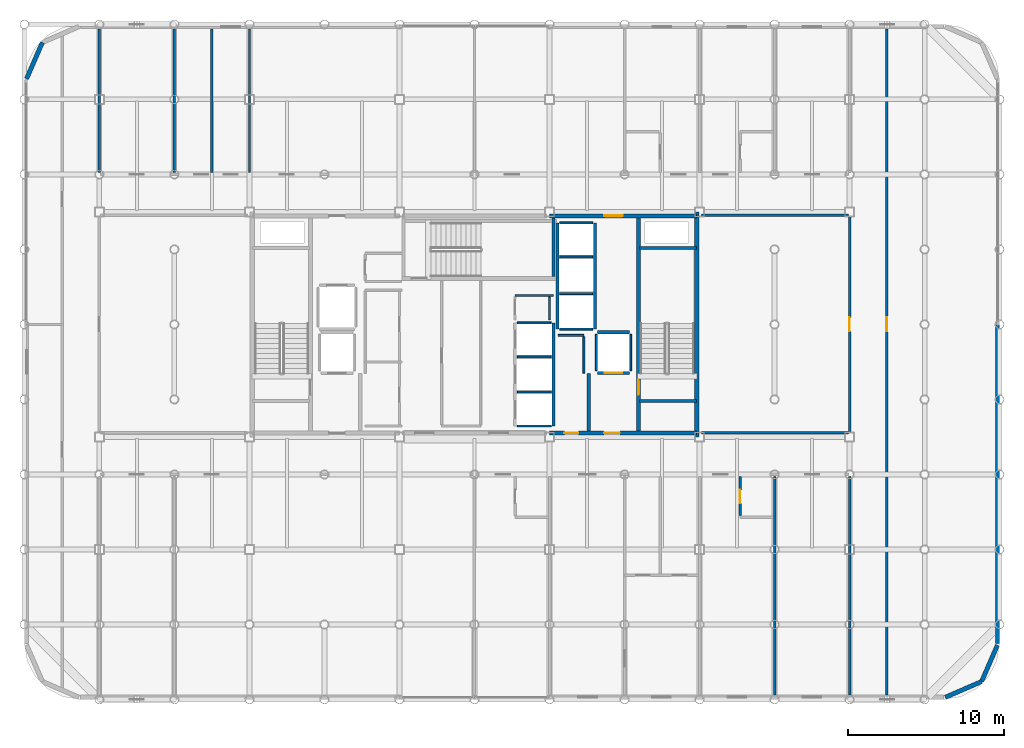
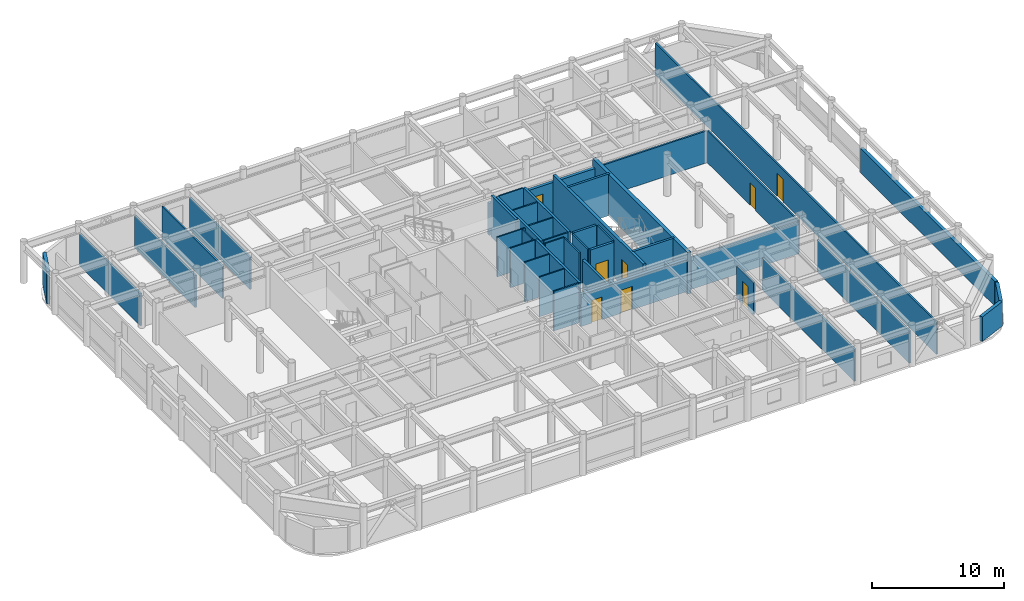
# One storey, part 19 of 22: 42 walls, 8 doors, 8 openings.
"""IFC4 building model written with IfcOpenShell, lengths in metres."""

from ifc_helpers import new_model, si_unit, direction, frame, frame_2d, origin, place, context, subcontext, project, spatial, rectangle, extrude, material, layer, layer_set, type_object, element, fill, save


model = new_model("IFC4")

# Units and contexts
model_context = context("Model", 3, precision=1e-05, world=origin(), true_north=direction((0.0, 1.0)))
body_context = subcontext(model_context, "Body", "Model", "MODEL_VIEW")
ifc_project = project(units=[si_unit("LENGTHUNIT", "METRE"), si_unit("AREAUNIT", "SQUARE_METRE"), si_unit("VOLUMEUNIT", "CUBIC_METRE"), si_unit("PLANEANGLEUNIT", "RADIAN"), si_unit("MASSUNIT", "GRAM", prefix="KILO")], contexts=[model_context])

# Site, building, storey
site_placement = place(None, origin())
site = spatial("IfcSite", under=ifc_project, at=site_placement, CompositionType="ELEMENT")
building_placement = place(site_placement, origin())
building = spatial("IfcBuilding", under=site, at=building_placement, Name="Kallvorn Hotel Tower", CompositionType="ELEMENT")
storey_placement = place(building_placement, frame((0.0, 0.0, 206.89990234375)))
storey = spatial("IfcBuildingStorey", under=building, at=storey_placement, Name="L51", CompositionType="ELEMENT", Elevation=206.89990234375)

# Wall
ifc_material_1 = material(Name="Concrete C50/60", Category="concrete")
ifc_layer_1 = layer(ifc_material_1, 0.300048828125)
ifc_layer_set_1 = layer_set([ifc_layer_1], Name="WL_CORE_300")
wall_type_1 = type_object("IfcWallType", Name="WL_CORE_300", PredefinedType="SHEAR", material=ifc_layer_set_1)
wall_1_placement = place(storey_placement, frame((14.215087890625, -7.199951171875, -0.179931640625), z_axis=(0.0, 0.0, 1.0), x_axis=(0.0, 1.0, 0.0)))
element("IfcWall", 1, at=wall_1_placement, inside=storey, type_object=wall_type_1, Name="L51 Core East Shear Wall", PredefinedType="SHEAR", context=body_context, shape_type="SweptSolid", body=[
    extrude(rectangle(XDim=14.39990234375, YDim=0.300048828125, at=frame_2d((7.199951171875, 0.0))), origin(), (0.0, 0.0, 1.0), 3.85009765625),
])

# Wall, opening, door
ifc_material_2 = material(Name="Fire-rated double-layer acoustic gypsum drywall EI 60")
ifc_layer_2 = layer(ifc_material_2, 0.159912109375)
ifc_layer_set_2 = layer_set([ifc_layer_2], Name="WL_DEMISE_160")
wall_type_2 = type_object("IfcWallType", Name="WL_DEMISE_160", PredefinedType="PARTITIONING", material=ifc_layer_set_2)
wall_2_placement = place(storey_placement, frame((16.989990234375, -12.235107421875, 0.0), z_axis=(0.0, 0.0, 1.0), x_axis=(0.0, 1.0, 0.0)))
wall_2 = element("IfcWall", 2, at=wall_2_placement, inside=storey, type_object=wall_type_2, Name="L51 Suite 5103 Superior Twin Room Partition", PredefinedType="PARTITIONING", context=body_context, shape_type="SweptSolid", body=[
    extrude(rectangle(XDim=2.51513671875, YDim=0.159912109375, at=frame_2d((1.257568359375, 0.0))), origin(), (0.0, 0.0, 1.0), 2.97021484375),
])
opening_1_placement = place(wall_2_placement, frame((0.784912109375, 0.0, 0.0)))
opening_1 = element("IfcOpeningElement", 3, at=opening_1_placement, cuts=wall_2, Name="Opening BD-I", PredefinedType="OPENING", context=body_context, shape_type="SweptSolid", body=[
    extrude(rectangle(XDim=0.860107421875, YDim=2.10009765625, at=frame_2d((0.43017578125, 1.050048828125))), frame((0.0, 0.094970703125, 0.0), z_axis=(0.0, -1.0, 0.0), x_axis=(1.0, 0.0, 0.0)), (0.0, 0.0, 1.0), 0.18994140625),
])
ifc_material_3 = material(Name="Solid-core walnut veneer fire-rated timber door leaf", Category="wood")
door_type_1 = type_object("IfcDoorType", Name="DR_BATH_860x2100", OperationType="NOTDEFINED", PredefinedType="DOOR", material=ifc_material_3)
door_1_placement = place(opening_1_placement, origin())
door_1 = element("IfcDoor", 4, at=door_1_placement, inside=storey, type_object=door_type_1, Name="L51 Suite 5103 En-Suite Bathroom Door", OperationType="SINGLE_SWING_LEFT", OverallHeight=2.10009765625, OverallWidth=0.860107421875, PredefinedType="DOOR", context=body_context, shape_type="SweptSolid", body=[
    extrude(rectangle(XDim=0.860107421875, YDim=2.10009765625, at=frame_2d((0.43017578125, 1.050048828125))), frame((0.0, 0.02490234375, 0.0), z_axis=(0.0, -1.0, 0.0), x_axis=(1.0, 0.0, 0.0)), (0.0, 0.0, 1.0), 0.050048828125),
])
fill(opening_1, door_1)

# Walls
wall_3_placement = place(storey_placement, frame((19.199951171875, -23.7099609375, 0.0), z_axis=(0.0, 0.0, 1.0), x_axis=(0.0, 1.0, 0.0)))
element("IfcWall", 5, at=wall_3_placement, inside=storey, type_object=wall_type_2, Name="L51 Suite 5103 Superior Twin Room Partition", PredefinedType="PARTITIONING", context=body_context, shape_type="SweptSolid", body=[
    extrude(rectangle(XDim=13.989990234375, YDim=0.159912109375, at=frame_2d((6.9951171875, 0.0))), origin(), (0.0, 0.0, 1.0), 2.97021484375),
])
ifc_material_4 = material(Name="Precast basalt-clad insulated concrete wall C40/50", Category="masonry")
ifc_layer_3 = layer(ifc_material_4, 0.280029296875)
ifc_layer_set_3 = layer_set([ifc_layer_3], Name="WL_EXT_LOGGIA_280")
wall_type_3 = type_object("IfcWallType", Name="WL_EXT_LOGGIA_280", PredefinedType="SOLIDWALL", material=ifc_layer_set_3)
wall_4_placement = place(storey_placement, frame((30.120849609375, -23.85791015625, 0.0), z_axis=(0.0, 0.0, 1.0), x_axis=(0.917060872934, 0.398747232384, 0.0)))
element("IfcWall", 6, at=wall_4_placement, inside=storey, type_object=wall_type_3, Name="L51 Rounded Corner Exterior Wall SE1", PredefinedType="SOLIDWALL", context=body_context, shape_type="SweptSolid", body=[
    extrude(rectangle(XDim=2.5361328125, YDim=0.280029296875, at=frame_2d((1.26806640625, 0.0))), origin(), (0.0, 0.0, 1.0), 2.27001953125),
])
wall_5_placement = place(storey_placement, frame((32.446533203125, -22.8466796875, 0.0), z_axis=(0.0, 0.0, 1.0), x_axis=(0.398792985289, 0.917040977756, 0.0)))
element("IfcWall", 7, at=wall_5_placement, inside=storey, type_object=wall_type_3, Name="L51 Rounded Corner Exterior Wall SE2", PredefinedType="SOLIDWALL", context=body_context, shape_type="SweptSolid", body=[
    extrude(rectangle(XDim=2.536376953125, YDim=0.280029296875, at=frame_2d((1.26806640625, 0.0))), origin(), (0.0, 0.0, 1.0), 2.27001953125),
])
wall_6_placement = place(storey_placement, frame((-27.646484375, 18.046630859375, 0.0), z_axis=(0.0, 0.0, 1.0), x_axis=(-0.398792985289, -0.917040977756, 0.0)))
element("IfcWall", 8, at=wall_6_placement, inside=storey, type_object=wall_type_3, Name="L51 Rounded Corner Exterior Wall NW2", PredefinedType="SOLIDWALL", context=body_context, shape_type="SweptSolid", body=[
    extrude(rectangle(XDim=2.536376953125, YDim=0.280029296875, at=frame_2d((1.26806640625, 0.0))), origin(), (0.0, 0.0, 1.0), 3.02001953125),
])
wall_7_placement = place(storey_placement, frame((33.4599609375, -20.39990234375, 0.0), z_axis=(0.0, 0.0, 1.0), x_axis=(0.0, 1.0, 0.0)))
element("IfcWall", 9, at=wall_7_placement, inside=storey, type_object=wall_type_3, Name="L51 Exterior Envelope Wall EW-L51-ES", PredefinedType="SOLIDWALL", context=body_context, shape_type="SweptSolid", body=[
    extrude(rectangle(XDim=20.3798828125, YDim=0.280029296875, at=frame_2d((10.18994140625, 0.0))), origin(), (0.0, 0.0, 1.0), 2.27001953125),
])
ifc_material_5 = material(Name="Concrete C40/50", Category="concrete")
ifc_layer_4 = layer(ifc_material_5, 0.219970703125)
ifc_layer_set_4 = layer_set([ifc_layer_4], Name="WL_FFL_220")
wall_type_4 = type_object("IfcWallType", Name="WL_FFL_220", PredefinedType="SOLIDWALL", material=ifc_layer_set_4)
wall_8_placement = place(storey_placement, frame((7.300048828125, -6.820068359375, 0.0), z_axis=(0.0, 0.0, 1.0), x_axis=(0.0, 1.0, 0.0)))
element("IfcWall", 10, at=wall_8_placement, inside=storey, type_object=wall_type_4, Name="L51 Firefighting Lobby East Divider Wall", PredefinedType="SOLIDWALL", context=body_context, shape_type="SweptSolid", body=[
    extrude(rectangle(XDim=3.670166015625, YDim=0.219970703125, at=frame_2d((1.8349609375, 0.0))), origin(), (0.0, 0.0, 1.0), 2.97021484375),
])
ifc_material_6 = material(Name="Concrete C40/50", Category="concrete")
ifc_layer_5 = layer(ifc_material_6, 0.199951171875)
ifc_layer_set_5 = layer_set([ifc_layer_5], Name="WL_HOIST_200")
wall_type_5 = type_object("IfcWallType", Name="WL_HOIST_200", PredefinedType="SOLIDWALL", material=ifc_layer_set_5)
for number, where, z_axis, x_axis, name in (
    (11, (10.550048828125, -4.89990234375, -0.179931640625), (0.0, 0.0, 1.0), (1.0, 0.0, 0.0), "L51 Stair ST2 South Wall"),
    (12, (10.550048828125, 4.89990234375, -0.179931640625), (0.0, 0.0, 1.0), (1.0, 0.0, 0.0), "L51 Stair ST2 North Wall"),
):
    element("IfcWall", number, at=place(storey_placement, frame(where, z_axis=z_axis, x_axis=x_axis)), inside=storey, type_object=wall_type_5, Name=name, PredefinedType="SOLIDWALL", context=body_context, shape_type="SweptSolid", body=[
        extrude(rectangle(XDim=3.64990234375, YDim=0.199951171875, at=frame_2d((1.824951171875, 0.0))), origin(), (0.0, 0.0, 1.0), 3.85009765625),
    ])
wall_9_placement = place(storey_placement, frame((5.06005859375, 3.080078125, -0.179931640625), z_axis=(0.0, 0.0, 1.0), x_axis=(0.0, 1.0, 0.0)))
element("IfcWall", 13, at=wall_9_placement, inside=storey, type_object=wall_type_5, Name="L51 Stair ST3 East Wall", PredefinedType="SOLIDWALL", context=body_context, shape_type="SweptSolid", body=[
    extrude(rectangle(XDim=3.739990234375, YDim=0.199951171875, at=frame_2d((1.8701171875, 0.0))), origin(), (0.0, 0.0, 1.0), 3.85009765625),
])
wall_10_placement = place(storey_placement, frame((5.050048828125, -6.5, 0.0), z_axis=(0.0, 0.0, 1.0), x_axis=(0.0, 1.0, 0.0)))
element("IfcWall", 14, at=wall_10_placement, inside=storey, type_object=wall_type_5, Name="L51 Lift Bank B3A Rear Shaft Wall", PredefinedType="SOLIDWALL", context=body_context, shape_type="SweptSolid", body=[
    extrude(rectangle(XDim=6.60009765625, YDim=0.199951171875, at=frame_2d((3.300048828125, 0.0))), origin(), (0.0, 0.0, 1.0), 3.670166015625),
])
for number, where, z_axis, x_axis, name in (
    (15, (7.699951171875, -0.300048828125, 0.0), (0.0, 0.0, 1.0), (0.0, 1.0, 0.0), "L51 Lift Bank OBS Landing Wall"),
    (16, (5.300048828125, -0.300048828125, 0.0), (0.0, 0.0, 1.0), (0.0, 1.0, 0.0), "L51 Lift Bank OBS Rear Shaft Wall"),
):
    element("IfcWall", number, at=place(storey_placement, frame(where, z_axis=z_axis, x_axis=x_axis)), inside=storey, type_object=wall_type_5, Name=name, PredefinedType="SOLIDWALL", context=body_context, shape_type="SweptSolid", body=[
        extrude(rectangle(XDim=6.800048828125, YDim=0.199951171875, at=frame_2d((3.39990234375, 0.0))), origin(), (0.0, 0.0, 1.0), 3.670166015625),
    ])

# Wall, opening, door
wall_11_placement = place(storey_placement, frame((7.8798828125, -3.10009765625, 0.0), z_axis=(0.0, 0.0, 1.0), x_axis=(1.0, 0.0, 0.0)))
wall_11 = element("IfcWall", 17, at=wall_11_placement, inside=storey, type_object=wall_type_5, Name="L51 FL-2 Landing Wall", PredefinedType="SOLIDWALL", context=body_context, shape_type="SweptSolid", body=[
    extrude(rectangle(XDim=2.0400390625, YDim=0.199951171875, at=frame_2d((1.02001953125, 0.0))), origin(), (0.0, 0.0, 1.0), 3.670166015625),
])
opening_2_placement = place(wall_11_placement, frame((0.469970703125, 0.0, 0.0)))
opening_2 = element("IfcOpeningElement", 18, at=opening_2_placement, cuts=wall_11, Name="Opening LD-FL-2", PredefinedType="OPENING", context=body_context, shape_type="SweptSolid", body=[
    extrude(rectangle(XDim=1.10009765625, YDim=2.199951171875, at=frame_2d((0.550048828125, 1.10009765625))), frame((0.0, 0.114990234375, 0.0), z_axis=(0.0, -1.0, 0.0), x_axis=(1.0, 0.0, 0.0)), (0.0, 0.0, 1.0), 0.22998046875),
])
ifc_material_7 = material(Name="Brushed stainless-steel automatic sliding lift landing door", Category="steel")
door_type_2 = type_object("IfcDoorType", Name="LD_PASS_1100x2200", OperationType="SLIDING_TO_LEFT", PredefinedType="DOOR", material=ifc_material_7)
door_2_placement = place(opening_2_placement, origin())
door_2 = element("IfcDoor", 19, at=door_2_placement, inside=storey, type_object=door_type_2, Name="L51 Lift Landing Sliding Door LD-FL-2", OperationType="SLIDING_TO_LEFT", OverallHeight=2.199951171875, OverallWidth=1.10009765625, PredefinedType="DOOR", context=body_context, shape_type="SweptSolid", body=[
    extrude(rectangle(XDim=1.10009765625, YDim=2.199951171875, at=frame_2d((0.550048828125, 1.10009765625))), frame((0.0, 0.02490234375, 0.0), z_axis=(0.0, -1.0, 0.0), x_axis=(1.0, 0.0, 0.0)), (0.0, 0.0, 1.0), 0.050048828125),
])
fill(opening_2, door_2)

# Walls
wall_12_placement = place(storey_placement, frame((7.8798828125, -0.5, 0.0), z_axis=(0.0, 0.0, 1.0), x_axis=(1.0, 0.0, 0.0)))
element("IfcWall", 20, at=wall_12_placement, inside=storey, type_object=wall_type_5, Name="L51 FL-2 Rear Shaft Wall", PredefinedType="SOLIDWALL", context=body_context, shape_type="SweptSolid", body=[
    extrude(rectangle(XDim=2.0400390625, YDim=0.199951171875, at=frame_2d((1.02001953125, 0.0))), origin(), (0.0, 0.0, 1.0), 3.670166015625),
])
ifc_material_8 = material(Name="Fire-rated double-layer acoustic gypsum drywall EI 60")
ifc_layer_6 = layer(ifc_material_8, 0.1201171875)
ifc_layer_set_6 = layer_set([ifc_layer_6], Name="WL_INT_120")
wall_type_6 = type_object("IfcWallType", Name="WL_INT_120", PredefinedType="PARTITIONING", material=ifc_layer_set_6)
for number, where, z_axis, x_axis, name in (
    (21, (2.739990234375, -6.5, 0.0), (0.0, 0.0, 1.0), (1.0, 0.0, 0.0), "L51 Lift Bank B3A South Closure Wall"),
    (22, (2.739990234375, -4.324951171875, 0.0), (0.0, 0.0, 1.0), (1.0, 0.0, 0.0), "L51 PL-09 Hoistway Divider"),
    (23, (2.739990234375, -2.074951171875, 0.0), (0.0, 0.0, 1.0), (1.0, 0.0, 0.0), "L51 PL-10 Hoistway Divider"),
    (24, (2.739990234375, 0.10009765625, 0.0), (0.0, 0.0, 1.0), (1.0, 0.0, 0.0), "L51 PL-11 Hoistway Divider"),
):
    element("IfcWall", number, at=place(storey_placement, frame(where, z_axis=z_axis, x_axis=x_axis)), inside=storey, type_object=wall_type_6, Name=name, PredefinedType="PARTITIONING", context=body_context, shape_type="SweptSolid", body=[
        extrude(rectangle(XDim=2.169921875, YDim=0.1201171875, at=frame_2d((1.0849609375, 0.0))), origin(), (0.0, 0.0, 1.0), 3.670166015625),
    ])
for number, where, z_axis, x_axis, name in (
    (25, (5.43994140625, -0.300048828125, 0.0), (0.0, 0.0, 1.0), (1.0, 0.0, 0.0), "L51 Lift Bank OBS South Closure Wall"),
    (26, (5.43994140625, 1.97509765625, 0.0), (0.0, 0.0, 1.0), (1.0, 0.0, 0.0), "L51 OB-01 Hoistway Divider"),
    (27, (5.43994140625, 4.324951171875, 0.0), (0.0, 0.0, 1.0), (1.0, 0.0, 0.0), "L51 OB-02 Hoistway Divider"),
    (28, (5.43994140625, 6.5, 0.0), (0.0, 0.0, 1.0), (1.0, 0.0, 0.0), "L51 OB-03 Hoistway Divider"),
):
    element("IfcWall", number, at=place(storey_placement, frame(where, z_axis=z_axis, x_axis=x_axis)), inside=storey, type_object=wall_type_6, Name=name, PredefinedType="PARTITIONING", context=body_context, shape_type="SweptSolid", body=[
        extrude(rectangle(XDim=2.1201171875, YDim=0.1201171875, at=frame_2d((1.06005859375, 0.0))), origin(), (0.0, 0.0, 1.0), 3.670166015625),
    ])
for number, where, z_axis, x_axis, name in (
    (29, (7.800048828125, -2.9599609375, 0.0), (0.0, 0.0, 1.0), (0.0, 1.0, 0.0), "L51 FL-2 West Shaft Wall"),
    (30, (10.0, -2.9599609375, 0.0), (0.0, 0.0, 1.0), (0.0, 1.0, 0.0), "L51 FL-2 East Shaft Wall"),
):
    element("IfcWall", number, at=place(storey_placement, frame(where, z_axis=z_axis, x_axis=x_axis)), inside=storey, type_object=wall_type_6, Name=name, PredefinedType="PARTITIONING", context=body_context, shape_type="SweptSolid", body=[
        extrude(rectangle(XDim=2.320068359375, YDim=0.1201171875, at=frame_2d((1.16015625, 0.0))), origin(), (0.0, 0.0, 1.0), 3.670166015625),
    ])
wall_13_placement = place(storey_placement, frame((5.35009765625, -0.699951171875, 0.0), z_axis=(0.0, 0.0, 1.0), x_axis=(1.0, 0.0, 0.0)))
element("IfcWall", 31, at=wall_13_placement, inside=storey, type_object=wall_type_6, Name="L51 Core Utility and Meter Room Partition", PredefinedType="PARTITIONING", context=body_context, shape_type="SweptSolid", body=[
    extrude(rectangle(XDim=1.64990234375, YDim=0.1201171875, at=frame_2d((0.824951171875, 0.0))), origin(), (0.0, 0.0, 1.0), 3.670166015625),
])
wall_14_placement = place(storey_placement, frame((2.60009765625, 1.85009765625, 0.0), z_axis=(0.0, 0.0, 1.0), x_axis=(1.0, 0.0, 0.0)))
element("IfcWall", 32, at=wall_14_placement, inside=storey, type_object=wall_type_6, Name="L51 East Core Ice Pantry Partition", PredefinedType="PARTITIONING", context=body_context, shape_type="SweptSolid", body=[
    extrude(rectangle(XDim=2.449951171875, YDim=0.1201171875, at=frame_2d((1.22509765625, 0.0))), origin(), (0.0, 0.0, 1.0), 3.670166015625),
])
wall_15_placement = place(storey_placement, frame((4.800048828125, 0.300048828125, 0.0), z_axis=(0.0, 0.0, 1.0), x_axis=(0.0, 1.0, 0.0)))
element("IfcWall", 33, at=wall_15_placement, inside=storey, type_object=wall_type_6, Name="L51 East Core Ice Pantry Partition", PredefinedType="PARTITIONING", context=body_context, shape_type="SweptSolid", body=[
    extrude(rectangle(XDim=1.46484375, YDim=0.1201171875, at=frame_2d((0.732421875, 0.0))), origin(), (0.0, 0.0, 1.0), 3.670166015625),
])
wall_16_placement = place(storey_placement, frame((7.0, -3.110107421875, 0.0), z_axis=(0.0, 0.0, 1.0), x_axis=(0.0, 1.0, 0.0)))
element("IfcWall", 34, at=wall_16_placement, inside=storey, type_object=wall_type_6, Name="L51 Core Utility and Meter Room Partition", PredefinedType="PARTITIONING", context=body_context, shape_type="SweptSolid", body=[
    extrude(rectangle(XDim=2.3251953125, YDim=0.1201171875, at=frame_2d((1.16259765625, 0.0))), origin(), (0.0, 0.0, 1.0), 3.670166015625),
])
ifc_material_9 = material(Name="Fire-rated double-layer acoustic gypsum drywall EI 60")
ifc_layer_7 = layer(ifc_material_9, 0.14990234375)
ifc_layer_set_7 = layer_set([ifc_layer_7], Name="WL_PART_150")
wall_type_7 = type_object("IfcWallType", Name="WL_PART_150", PredefinedType="PARTITIONING", material=ifc_layer_set_7)
for number, where, z_axis, x_axis, name in (
    (35, (14.52001953125, -6.919921875, 0.0), (0.0, 0.0, 1.0), (1.0, 0.0, 0.0), "L51 L51 High-Zone Inner East Club Gallery Partition"),
    (36, (14.52001953125, 6.97998046875, 0.0), (0.0, 0.0, 1.0), (1.0, 0.0, 0.0), "L51 L51 High-Zone Inner East Club Gallery Partition"),
):
    element("IfcWall", number, at=place(storey_placement, frame(where, z_axis=z_axis, x_axis=x_axis)), inside=storey, type_object=wall_type_7, Name=name, PredefinedType="PARTITIONING", context=body_context, shape_type="SweptSolid", body=[
        extrude(rectangle(XDim=9.39990234375, YDim=0.14990234375, at=frame_2d((4.699951171875, 0.0))), origin(), (0.0, 0.0, 1.0), 2.97021484375),
    ])
for number, where, z_axis, x_axis, name in (
    (37, (-24.0, 9.719970703125, 0.0), (0.0, 0.0, 1.0), (0.0, 1.0, 0.0), "L51 L51 High-Zone North-West Reading Salon Partition"),
    (38, (-19.199951171875, 9.719970703125, 0.0), (0.0, 0.0, 1.0), (0.0, 1.0, 0.0), "L51 Housekeeping and Linen Room Partition"),
    (39, (-16.800048828125, 9.719970703125, 0.0), (0.0, 0.0, 1.0), (0.0, 1.0, 0.0), "L51 Guest Tea and Refreshment Bar Partition"),
    (40, (-14.39990234375, 9.719970703125, 0.0), (0.0, 0.0, 1.0), (0.0, 1.0, 0.0), "L51 Guest Tea and Refreshment Bar Partition"),
):
    element("IfcWall", number, at=place(storey_placement, frame(where, z_axis=z_axis, x_axis=x_axis)), inside=storey, type_object=wall_type_7, Name=name, PredefinedType="PARTITIONING", context=body_context, shape_type="SweptSolid", body=[
        extrude(rectangle(XDim=9.18994140625, YDim=0.14990234375, at=frame_2d((4.594970703125, 0.0))), origin(), (0.0, 0.0, 1.0), 2.97021484375),
    ])
wall_17_placement = place(storey_placement, frame((24.0, -23.7099609375, 0.0), z_axis=(0.0, 0.0, 1.0), x_axis=(0.0, 1.0, 0.0)))
element("IfcWall", 41, at=wall_17_placement, inside=storey, type_object=wall_type_7, Name="L51 L51 High-Zone South-East Wine Bar Partition", PredefinedType="PARTITIONING", context=body_context, shape_type="SweptSolid", body=[
    extrude(rectangle(XDim=13.989990234375, YDim=0.14990234375, at=frame_2d((6.9951171875, 0.0))), origin(), (0.0, 0.0, 1.0), 2.97021484375),
])

# Wall, opening, door
wall_18_placement = place(storey_placement, frame((24.0, -6.8349609375, 0.0), z_axis=(0.0, 0.0, 1.0), x_axis=(0.0, 1.0, 0.0)))
wall_18 = element("IfcWall", 42, at=wall_18_placement, inside=storey, type_object=wall_type_7, Name="L51 L51 High-Zone Inner East Club Gallery Partition", PredefinedType="PARTITIONING", context=body_context, shape_type="SweptSolid", body=[
    extrude(rectangle(XDim=13.72998046875, YDim=0.14990234375, at=frame_2d((6.864990234375, 0.0))), origin(), (0.0, 0.0, 1.0), 2.97021484375),
])
opening_3_placement = place(wall_18_placement, frame((6.385009765625, 0.0, 0.0)))
opening_3 = element("IfcOpeningElement", 43, at=opening_3_placement, cuts=wall_18, Name="Opening SVD1", PredefinedType="OPENING", context=body_context, shape_type="SweptSolid", body=[
    extrude(rectangle(XDim=0.89990234375, YDim=2.10009765625, at=frame_2d((0.449951171875, 1.050048828125))), frame((0.0, 0.08984375, 0.0), z_axis=(0.0, -1.0, 0.0), x_axis=(1.0, 0.0, 0.0)), (0.0, 0.0, 1.0), 0.179931640625),
])
ifc_material_10 = material(Name="Galvanised painted steel fire-rated door assembly", Category="steel")
door_type_3 = type_object("IfcDoorType", Name="DR_SERV_900x2100", OperationType="NOTDEFINED", PredefinedType="DOOR", material=ifc_material_10)
door_3_placement = place(opening_3_placement, origin())
door_3 = element("IfcDoor", 44, at=door_3_placement, inside=storey, type_object=door_type_3, Name="L51 L51 High-Zone Inner East Club Gallery Door", OperationType="SINGLE_SWING_LEFT", OverallHeight=2.10009765625, OverallWidth=0.89990234375, PredefinedType="DOOR", context=body_context, shape_type="SweptSolid", body=[
    extrude(rectangle(XDim=0.89990234375, YDim=2.10009765625, at=frame_2d((0.449951171875, 1.050048828125))), frame((0.0, 0.02490234375, 0.0), z_axis=(0.0, -1.0, 0.0), x_axis=(1.0, 0.0, 0.0)), (0.0, 0.0, 1.0), 0.050048828125),
])
fill(opening_3, door_3)

wall_19_placement = place(storey_placement, frame((26.3798828125, -23.7099609375, 0.0), z_axis=(0.0, 0.0, 1.0), x_axis=(0.0, 1.0, 0.0)))
wall_19 = element("IfcWall", 45, at=wall_19_placement, inside=storey, type_object=wall_type_7, Name="L51 L51 Outer East Sky Observatory Salon Partition", PredefinedType="PARTITIONING", context=body_context, shape_type="SweptSolid", body=[
    extrude(rectangle(XDim=42.619873046875, YDim=0.14990234375, at=frame_2d((21.31005859375, 0.0))), origin(), (0.0, 0.0, 1.0), 2.97021484375),
])
opening_4_placement = place(wall_19_placement, frame((23.260009765625, 0.0, 0.0)))
opening_4 = element("IfcOpeningElement", 46, at=opening_4_placement, cuts=wall_19, Name="Opening SVD1", PredefinedType="OPENING", context=body_context, shape_type="SweptSolid", body=[
    extrude(rectangle(XDim=0.89990234375, YDim=2.10009765625, at=frame_2d((0.449951171875, 1.050048828125))), frame((0.0, 0.08984375, 0.0), z_axis=(0.0, -1.0, 0.0), x_axis=(1.0, 0.0, 0.0)), (0.0, 0.0, 1.0), 0.179931640625),
])
door_4_placement = place(opening_4_placement, origin())
door_4 = element("IfcDoor", 47, at=door_4_placement, inside=storey, type_object=door_type_3, Name="L51 L51 Outer East Sky Observatory Salon Door", OperationType="SINGLE_SWING_RIGHT", OverallHeight=2.10009765625, OverallWidth=0.89990234375, PredefinedType="DOOR", context=body_context, shape_type="SweptSolid", body=[
    extrude(rectangle(XDim=0.89990234375, YDim=2.10009765625, at=frame_2d((0.449951171875, 1.050048828125))), frame((0.0, 0.02490234375, 0.0), z_axis=(0.0, -1.0, 0.0), x_axis=(1.0, 0.0, 0.0)), (0.0, 0.0, 1.0), 0.050048828125),
])
fill(opening_4, door_4)

# Wall, openings, doors
ifc_material_11 = material(Name="Concrete C40/50", Category="concrete")
ifc_layer_8 = layer(ifc_material_11, 0.25)
ifc_layer_set_8 = layer_set([ifc_layer_8], Name="WL_SHAFT_250")
wall_type_8 = type_object("IfcWallType", Name="WL_SHAFT_250", PredefinedType="SOLIDWALL", material=ifc_layer_set_8)
wall_20_placement = place(storey_placement, frame((4.800048828125, -6.949951171875, 0.0), z_axis=(0.0, 0.0, 1.0), x_axis=(1.0, 0.0, 0.0)))
wall_20 = element("IfcWall", 48, at=wall_20_placement, inside=storey, type_object=wall_type_8, Name="L51 Core South-East Wall", PredefinedType="SOLIDWALL", context=body_context, shape_type="SweptSolid", body=[
    extrude(rectangle(XDim=9.39990234375, YDim=0.25, at=frame_2d((4.699951171875, 0.0))), origin(), (0.0, 0.0, 1.0), 2.97021484375),
])
opening_5_placement = place(wall_20_placement, frame((3.5, 0.0, 0.0)))
opening_5 = element("IfcOpeningElement", 49, at=opening_5_placement, cuts=wall_20, Name="Opening FD1", PredefinedType="OPENING", context=body_context, shape_type="SweptSolid", body=[
    extrude(rectangle(XDim=1.0, YDim=2.14990234375, at=frame_2d((0.5, 1.074951171875))), frame((0.0, 0.139892578125, 0.0), z_axis=(0.0, -1.0, 0.0), x_axis=(1.0, 0.0, 0.0)), (0.0, 0.0, 1.0), 0.280029296875),
])
opening_6_placement = place(wall_20_placement, frame((0.949951171875, 0.0, 0.0)))
opening_6 = element("IfcOpeningElement", 50, at=opening_6_placement, cuts=wall_20, Name="Opening SVD1", PredefinedType="OPENING", context=body_context, shape_type="SweptSolid", body=[
    extrude(rectangle(XDim=0.89990234375, YDim=2.10009765625, at=frame_2d((0.449951171875, 1.050048828125))), frame((0.0, 0.139892578125, 0.0), z_axis=(0.0, -1.0, 0.0), x_axis=(1.0, 0.0, 0.0)), (0.0, 0.0, 1.0), 0.280029296875),
])
ifc_material_12 = material(Name="Galvanised painted steel fire-rated door assembly", Category="steel")
door_type_4 = type_object("IfcDoorType", Name="DR_FFL_1000x2150", OperationType="NOTDEFINED", PredefinedType="DOOR", material=ifc_material_12)
door_5_placement = place(opening_5_placement, origin())
door_5 = element("IfcDoor", 51, at=door_5_placement, inside=storey, type_object=door_type_4, Name="L51 Firefighting Lobby East Door", OperationType="SINGLE_SWING_LEFT", OverallHeight=2.14990234375, OverallWidth=1.0, PredefinedType="DOOR", context=body_context, shape_type="SweptSolid", body=[
    extrude(rectangle(XDim=1.0, YDim=2.14990234375, at=frame_2d((0.5, 1.074951171875))), frame((0.0, 0.02490234375, 0.0), z_axis=(0.0, -1.0, 0.0), x_axis=(1.0, 0.0, 0.0)), (0.0, 0.0, 1.0), 0.050048828125),
])
fill(opening_5, door_5)
door_6_placement = place(opening_6_placement, origin())
door_6 = element("IfcDoor", 52, at=door_6_placement, inside=storey, type_object=door_type_3, Name="L51 Core Utility and Meter Room Door", OperationType="SINGLE_SWING_LEFT", OverallHeight=2.10009765625, OverallWidth=0.89990234375, PredefinedType="DOOR", context=body_context, shape_type="SweptSolid", body=[
    extrude(rectangle(XDim=0.89990234375, YDim=2.10009765625, at=frame_2d((0.449951171875, 1.050048828125))), frame((0.0, 0.02490234375, 0.0), z_axis=(0.0, -1.0, 0.0), x_axis=(1.0, 0.0, 0.0)), (0.0, 0.0, 1.0), 0.050048828125),
])
fill(opening_6, door_6)

# Wall, opening, door
wall_21_placement = place(storey_placement, frame((4.800048828125, 6.949951171875, 0.0), z_axis=(0.0, 0.0, 1.0), x_axis=(1.0, 0.0, 0.0)))
wall_21 = element("IfcWall", 53, at=wall_21_placement, inside=storey, type_object=wall_type_8, Name="L51 Core North-East Wall", PredefinedType="SOLIDWALL", context=body_context, shape_type="SweptSolid", body=[
    extrude(rectangle(XDim=9.39990234375, YDim=0.25, at=frame_2d((4.699951171875, 0.0))), origin(), (0.0, 0.0, 1.0), 2.97021484375),
])
opening_7_placement = place(wall_21_placement, frame((3.5, 0.0, 0.0)))
opening_7 = element("IfcOpeningElement", 54, at=opening_7_placement, cuts=wall_21, Name="Opening FD2", PredefinedType="OPENING", context=body_context, shape_type="SweptSolid", body=[
    extrude(rectangle(XDim=1.199951171875, YDim=2.199951171875, at=frame_2d((0.60009765625, 1.10009765625))), frame((0.0, 0.139892578125, 0.0), z_axis=(0.0, -1.0, 0.0), x_axis=(1.0, 0.0, 0.0)), (0.0, 0.0, 1.0), 0.280029296875),
])
ifc_material_13 = material(Name="Galvanised painted steel fire-rated door assembly", Category="steel")
door_type_5 = type_object("IfcDoorType", Name="DR_LOBBY_1200x2200", OperationType="DOUBLE_DOOR_SINGLE_SWING", PredefinedType="DOOR", material=ifc_material_13)
door_7_placement = place(opening_7_placement, origin())
door_7 = element("IfcDoor", 55, at=door_7_placement, inside=storey, type_object=door_type_5, Name="L51 Observatory Shuttle Lobby Door", OperationType="DOUBLE_DOOR_SINGLE_SWING", OverallHeight=2.199951171875, OverallWidth=1.199951171875, PredefinedType="DOOR", context=body_context, shape_type="SweptSolid", body=[
    extrude(rectangle(XDim=1.199951171875, YDim=2.199951171875, at=frame_2d((0.60009765625, 1.10009765625))), frame((0.0, 0.02490234375, 0.0), z_axis=(0.0, -1.0, 0.0), x_axis=(1.0, 0.0, 0.0)), (0.0, 0.0, 1.0), 0.050048828125),
])
fill(opening_7, door_7)

wall_22_placement = place(storey_placement, frame((10.5, -6.820068359375, -0.179931640625), z_axis=(0.0, 0.0, 1.0), x_axis=(0.0, 1.0, 0.0)))
wall_22 = element("IfcWall", 56, at=wall_22_placement, inside=storey, type_object=wall_type_8, Name="L51 Stair ST2 Shaft Wall", PredefinedType="SOLIDWALL", context=body_context, shape_type="SweptSolid", body=[
    extrude(rectangle(XDim=13.64013671875, YDim=0.25, at=frame_2d((6.820068359375, 0.0))), origin(), (0.0, 0.0, 1.0), 3.85009765625),
])
opening_8_placement = place(wall_22_placement, frame((2.320068359375, 0.0, 0.179931640625)))
opening_8 = element("IfcOpeningElement", 57, at=opening_8_placement, cuts=wall_22, Name="Opening SD1", PredefinedType="OPENING", context=body_context, shape_type="SweptSolid", body=[
    extrude(rectangle(XDim=0.949951171875, YDim=2.14990234375, at=frame_2d((0.47509765625, 1.074951171875))), frame((0.0, 0.139892578125, 0.0), z_axis=(0.0, -1.0, 0.0), x_axis=(1.0, 0.0, 0.0)), (0.0, 0.0, 1.0), 0.280029296875),
])
ifc_material_14 = material(Name="Galvanised painted steel fire-rated door assembly", Category="steel")
door_type_6 = type_object("IfcDoorType", Name="DR_STAIR_950x2150", OperationType="NOTDEFINED", PredefinedType="DOOR", material=ifc_material_14)
door_8_placement = place(opening_8_placement, origin())
door_8 = element("IfcDoor", 58, at=door_8_placement, inside=storey, type_object=door_type_6, Name="L51 Exit Stair ST2 Fire Door", OperationType="SINGLE_SWING_LEFT", OverallHeight=2.14990234375, OverallWidth=0.949951171875, PredefinedType="DOOR", context=body_context, shape_type="SweptSolid", body=[
    extrude(rectangle(XDim=0.949951171875, YDim=2.14990234375, at=frame_2d((0.47509765625, 1.074951171875))), frame((0.0, 0.02490234375, 0.0), z_axis=(0.0, -1.0, 0.0), x_axis=(1.0, 0.0, 0.0)), (0.0, 0.0, 1.0), 0.050048828125),
])
fill(opening_8, door_8)

save(model, "model.ifc")
